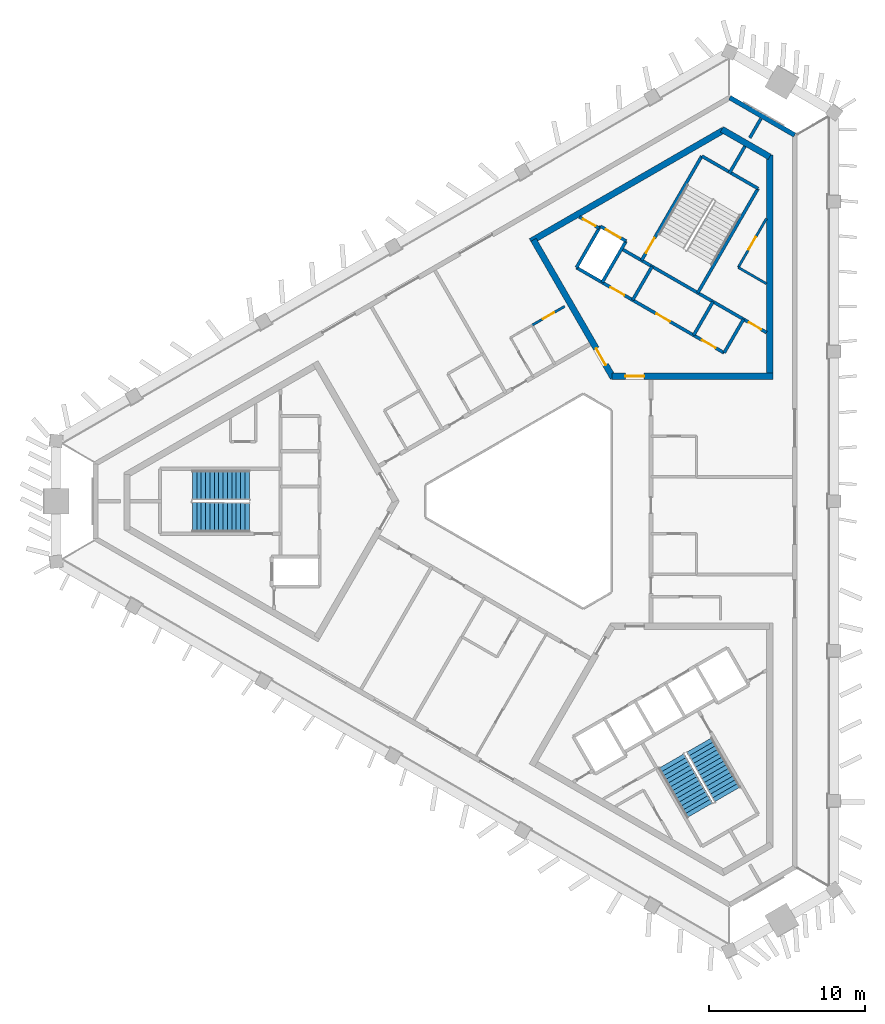
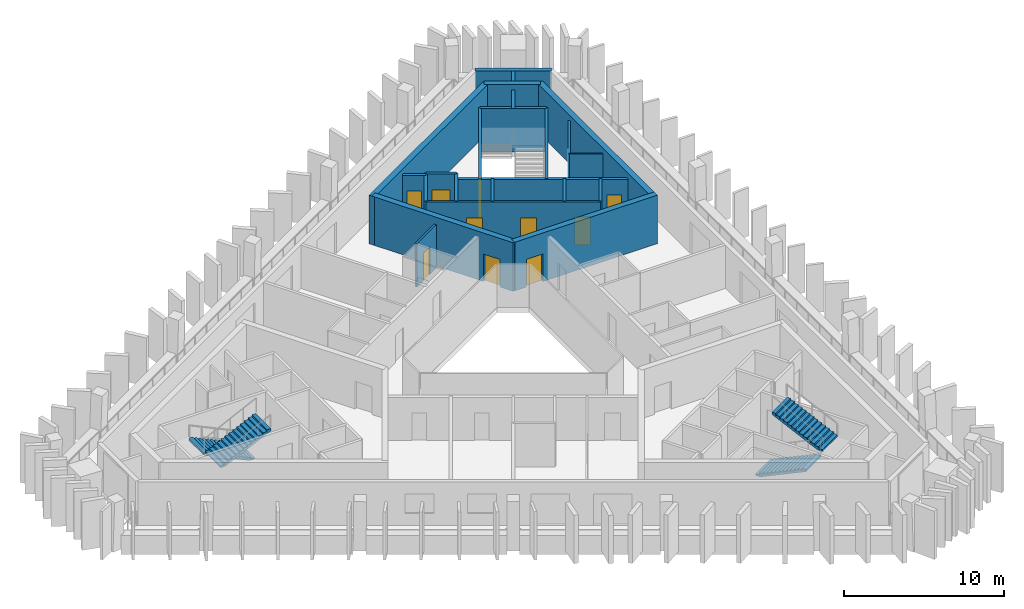
# One storey, part 5 of 9: 23 walls, 11 doors, 4 stair flights, 11 openings, 2 elements without a shape of their own.
"""IFC4 building model written with IfcOpenShell, lengths in metres."""

from ifc_helpers import new_model, si_unit, direction, frame, frame_2d, origin, place, context, subcontext, project, spatial, polyline, rectangle, outline, extrude, material, layer, layer_set, type_object, element, fill, aggregate, save


model = new_model("IFC4")

# Units and contexts
model_context = context("Model", 3, precision=1e-05, world=origin(), true_north=direction((0.0, 1.0)))
body_context = subcontext(model_context, "Body", "Model", "MODEL_VIEW")
ifc_project = project(units=[si_unit("LENGTHUNIT", "METRE"), si_unit("AREAUNIT", "SQUARE_METRE"), si_unit("VOLUMEUNIT", "CUBIC_METRE"), si_unit("PLANEANGLEUNIT", "RADIAN"), si_unit("MASSUNIT", "GRAM", prefix="KILO")], contexts=[model_context])

# Site, building, storey
site_placement = place(None, origin())
site = spatial("IfcSite", under=ifc_project, at=site_placement, CompositionType="ELEMENT")
building_placement = place(site_placement, origin())
building = spatial("IfcBuilding", under=site, at=building_placement, Name="Jabali Bay Hotel Tower and Convention Centre", CompositionType="ELEMENT")
storey_placement = place(building_placement, frame((0.0, 0.0, 288.60009765625)))
storey = spatial("IfcBuildingStorey", under=building, at=storey_placement, Name="L71", CompositionType="ELEMENT", Elevation=288.60009765625)

# Wall
ifc_material_1 = material(Name="Concrete C40", Category="concrete")
ifc_layer_1 = layer(ifc_material_1, 0.199951171875)
ifc_layer_set_1 = layer_set([ifc_layer_1], Name="Concrete C40")
wall_type_1 = type_object("IfcWallType", Name="Core partition wall 200", PredefinedType="PARTITIONING", material=ifc_layer_set_1)
wall_1_placement = place(storey_placement, frame((87.090087890625, 100.9404296875, 0.0), z_axis=(0.0, 0.0, 1.0), x_axis=(0.499941815747, 0.866058993873, 0.0)))
element("IfcWall", 1, at=wall_1_placement, inside=storey, type_object=wall_type_1, Name="Core wall 1.4 L71", PredefinedType="PARTITIONING", context=body_context, shape_type="SweptSolid", body=[
    extrude(rectangle(XDim=2.023193359375, YDim=0.199951171875, at=frame_2d((1.01171875, 0.0))), origin(), (0.0, 0.0, 1.0), 3.2998046875),
])

# Wall, opening, door
wall_2_placement = place(storey_placement, frame((78.7802734375, 97.447509765625, 0.0), z_axis=(0.0, 0.0, 1.0), x_axis=(-0.866045896294, 0.499964504253, 0.0)))
wall_2 = element("IfcWall", 2, at=wall_2_placement, inside=storey, type_object=wall_type_1, Name="Core wall 1.11 L71", PredefinedType="PARTITIONING", context=body_context, shape_type="SweptSolid", body=[
    extrude(rectangle(XDim=1.455078125, YDim=0.199951171875, at=frame_2d((0.7275390625, 0.0))), origin(), (0.0, 0.0, 1.0), 3.2998046875),
])
opening_1_placement = place(wall_2_placement, frame((0.277587890625, 0.0, 0.0)))
opening_1 = element("IfcOpeningElement", 3, at=opening_1_placement, cuts=wall_2, Name="Opening D1578", PredefinedType="OPENING", context=body_context, shape_type="SweptSolid", body=[
    extrude(rectangle(XDim=0.89990234375, YDim=2.10009765625, at=frame_2d((0.449951171875, 1.050048828125))), frame((0.0, 0.1103515625, 0.0), z_axis=(0.0, -1.0, 0.0), x_axis=(1.0, 0.0, 0.0)), (0.0, 0.0, 1.0), 0.220947265625),
])
ifc_material_2 = material(Name="Fire-rated steel door", Category="steel")
door_type_1 = type_object("IfcDoorType", Name="Vestibule fire door 900 x 2100", OperationType="NOTDEFINED", PredefinedType="NOTDEFINED", material=ifc_material_2)
door_1_placement = place(opening_1_placement, origin())
door_1 = element("IfcDoor", 4, at=door_1_placement, inside=storey, type_object=door_type_1, Name="Vestibule fire door D1578", OperationType="SINGLE_SWING_LEFT", OverallHeight=2.10009765625, OverallWidth=0.89990234375, PredefinedType="NOTDEFINED", context=body_context, shape_type="SweptSolid", body=[
    extrude(rectangle(XDim=0.89990234375, YDim=2.10009765625, at=frame_2d((0.449951171875, 1.050048828125))), frame((0.0, 0.02490234375, 0.0), z_axis=(0.0, -1.0, 0.0), x_axis=(1.0, 0.0, 0.0)), (0.0, 0.0, 1.0), 0.050048828125),
])
fill(opening_1, door_1)

ifc_material_3 = material(Name="Fire-rated board partition")
ifc_layer_2 = layer(ifc_material_3, 0.14990234375)
ifc_layer_set_2 = layer_set([ifc_layer_2], Name="Fire-rated board partition")
wall_type_2 = type_object("IfcWallType", Name="Core room partition 150", PredefinedType="PARTITIONING", material=ifc_layer_set_2)
wall_3_placement = place(storey_placement, frame((87.671142578125, 94.947021484375, 0.0), z_axis=(0.0, 0.0, 1.0), x_axis=(0.499993116331, 0.866029378036, 0.0)))
wall_3 = element("IfcWall", 5, at=wall_3_placement, inside=storey, type_object=wall_type_2, Name="Core wall 1.1 L71", PredefinedType="PARTITIONING", context=body_context, shape_type="SweptSolid", body=[
    extrude(rectangle(XDim=3.61767578125, YDim=0.14990234375, at=frame_2d((1.808837890625, 0.0))), origin(), (0.0, 0.0, 1.0), 3.2998046875),
])
opening_2_placement = place(wall_3_placement, frame((1.33154296875, 0.0, 0.0)))
opening_2 = element("IfcOpeningElement", 6, at=opening_2_placement, cuts=wall_3, Name="Opening D1581", PredefinedType="OPENING", context=body_context, shape_type="SweptSolid", body=[
    extrude(rectangle(XDim=0.89990234375, YDim=2.10009765625, at=frame_2d((0.449951171875, 1.050048828125))), frame((0.0, 0.08544921875, 0.0), z_axis=(0.0, -1.0, 0.0), x_axis=(1.0, 0.0, 0.0)), (0.0, 0.0, 1.0), 0.1708984375),
])
door_type_2 = type_object("IfcDoorType", Name="Core room door 900 x 2100", OperationType="NOTDEFINED", PredefinedType="NOTDEFINED", material=ifc_material_2)
door_2_placement = place(opening_2_placement, origin())
door_2 = element("IfcDoor", 7, at=door_2_placement, inside=storey, type_object=door_type_2, Name="Core room door D1581", OperationType="SINGLE_SWING_LEFT", OverallHeight=2.10009765625, OverallWidth=0.89990234375, PredefinedType="NOTDEFINED", context=body_context, shape_type="SweptSolid", body=[
    extrude(rectangle(XDim=0.89990234375, YDim=2.10009765625, at=frame_2d((0.449951171875, 1.050048828125))), frame((0.0, 0.02490234375, 0.0), z_axis=(0.0, -1.0, 0.0), x_axis=(1.0, 0.0, 0.0)), (0.0, 0.0, 1.0), 0.050048828125),
])
fill(opening_2, door_2)

# Walls
wall_4_placement = place(storey_placement, frame((89.47998046875, 93.902587890625, 0.0), z_axis=(0.0, 0.0, 1.0), x_axis=(-0.866004557827, 0.500036104519, 0.0)))
element("IfcWall", 8, at=wall_4_placement, inside=storey, type_object=wall_type_2, Name="Core wall 1.13 L71", PredefinedType="PARTITIONING", context=body_context, shape_type="SweptSolid", body=[
    extrude(rectangle(XDim=2.088623046875, YDim=0.14990234375, at=frame_2d((1.04443359375, 0.0))), origin(), (0.0, 0.0, 1.0), 3.2998046875),
])
ifc_layer_3 = layer(ifc_material_1, 0.199951171875)
ifc_layer_set_3 = layer_set([ifc_layer_3], Name="Concrete C40")
wall_type_3 = type_object("IfcWallType", Name="Core stair wall 200", PredefinedType="SOLIDWALL", material=ifc_layer_set_3)
for number, where, z_axis, x_axis, name in (
    (9, (86.769775390625, 89.48583984375, 0.0), (0.0, 0.0, 1.0), (0.499961042966, 0.86604789447, 0.0), "Core wall 1.0 L71"),
    (10, (84.8212890625, 90.61083984375, 0.0), (0.0, 0.0, 1.0), (0.499961042966, 0.86604789447, 0.0), "Core wall 1.2 L71"),
):
    element("IfcWall", number, at=place(storey_placement, frame(where, z_axis=z_axis, x_axis=x_axis)), inside=storey, type_object=wall_type_3, Name=name, PredefinedType="SOLIDWALL", context=body_context, shape_type="SweptSolid", body=[
        extrude(rectangle(XDim=2.480224609375, YDim=0.199951171875, at=frame_2d((1.240234375, 0.0))), origin(), (0.0, 0.0, 1.0), 3.2998046875),
    ])
wall_5_placement = place(storey_placement, frame((85.0869140625, 93.3212890625, 0.0), z_axis=(0.0, 0.0, 1.0), x_axis=(0.500019787375, 0.866013979237, 0.0)))
element("IfcWall", 11, at=wall_5_placement, inside=storey, type_object=wall_type_3, Name="Core wall 1.3 L71", PredefinedType="SOLIDWALL", context=body_context, shape_type="SweptSolid", body=[
    extrude(rectangle(XDim=7.699951171875, YDim=0.199951171875, at=frame_2d((3.85009765625, 0.0))), origin(), (0.0, 0.0, 1.0), 3.2998046875),
])
wall_6_placement = place(storey_placement, frame((80.924072265625, 92.86083984375, 0.0), z_axis=(0.0, 0.0, 1.0), x_axis=(0.499961042966, 0.86604789447, 0.0)))
element("IfcWall", 12, at=wall_6_placement, inside=storey, type_object=wall_type_3, Name="Core wall 1.5 L71", PredefinedType="SOLIDWALL", context=body_context, shape_type="SweptSolid", body=[
    extrude(rectangle(XDim=2.480224609375, YDim=0.199951171875, at=frame_2d((1.240234375, 0.0))), origin(), (0.0, 0.0, 1.0), 3.2998046875),
])

# Wall, opening, door
wall_7_placement = place(storey_placement, frame((81.492919921875, 95.396240234375, 0.0), z_axis=(0.0, 0.0, 1.0), x_axis=(0.500006057782, 0.866021906294, 0.0)))
wall_7 = element("IfcWall", 13, at=wall_7_placement, inside=storey, type_object=wall_type_3, Name="Core wall 1.6 L71", PredefinedType="SOLIDWALL", context=body_context, shape_type="SweptSolid", body=[
    extrude(rectangle(XDim=7.7001953125, YDim=0.199951171875, at=frame_2d((3.85009765625, 0.0))), origin(), (0.0, 0.0, 1.0), 3.2998046875),
])
opening_3_placement = place(wall_7_placement, frame((0.550048828125, 0.0, 0.0)))
opening_3 = element("IfcOpeningElement", 14, at=opening_3_placement, cuts=wall_7, Name="Opening D1580", PredefinedType="OPENING", context=body_context, shape_type="SweptSolid", body=[
    extrude(rectangle(XDim=1.10009765625, YDim=2.10009765625, at=frame_2d((0.550048828125, 1.050048828125))), frame((0.0, 0.1103515625, 0.0), z_axis=(0.0, -1.0, 0.0), x_axis=(1.0, 0.0, 0.0)), (0.0, 0.0, 1.0), 0.220947265625),
])
door_type_3 = type_object("IfcDoorType", Name="Stair fire door 1100 x 2100", OperationType="NOTDEFINED", PredefinedType="NOTDEFINED", material=ifc_material_2)
door_3_placement = place(opening_3_placement, origin())
door_3 = element("IfcDoor", 15, at=door_3_placement, inside=storey, type_object=door_type_3, Name="Stair fire door D1580", OperationType="SINGLE_SWING_RIGHT", OverallHeight=2.10009765625, OverallWidth=1.10009765625, PredefinedType="NOTDEFINED", context=body_context, shape_type="SweptSolid", body=[
    extrude(rectangle(XDim=1.10009765625, YDim=2.10009765625, at=frame_2d((0.550048828125, 1.050048828125))), frame((0.0, 0.02490234375, 0.0), z_axis=(0.0, -1.0, 0.0), x_axis=(1.0, 0.0, 0.0)), (0.0, 0.0, 1.0), 0.050048828125),
])
fill(opening_3, door_3)

# Walls
for number, where, z_axis, x_axis, name in (
    (16, (78.9755859375, 93.98583984375, 0.0), (0.0, 0.0, 1.0), (0.499944174705, 0.866057632134, 0.0), "Core wall 1.7 L71"),
    (17, (77.330078125, 94.93603515625, 0.0), (0.0, 0.0, 1.0), (0.500038867431, 0.8660029625, 0.0), "Core wall 1.8 L71"),
):
    element("IfcWall", number, at=place(storey_placement, frame(where, z_axis=z_axis, x_axis=x_axis)), inside=storey, type_object=wall_type_3, Name=name, PredefinedType="SOLIDWALL", context=body_context, shape_type="SweptSolid", body=[
        extrude(rectangle(XDim=3.050048828125, YDim=0.199951171875, at=frame_2d((1.52490234375, 0.0))), origin(), (0.0, 0.0, 1.0), 3.2998046875),
    ])

# Wall, openings, doors
wall_8_placement = place(storey_placement, frame((86.769775390625, 89.48583984375, 0.0), z_axis=(0.0, 0.0, 1.0), x_axis=(-0.86601811187, 0.500012629753, 0.0)))
wall_8 = element("IfcWall", 18, at=wall_8_placement, inside=storey, type_object=wall_type_3, Name="Core wall 1.9 L71", PredefinedType="SOLIDWALL", context=body_context, shape_type="SweptSolid", body=[
    extrude(rectangle(XDim=10.900146484375, YDim=0.199951171875, at=frame_2d((5.4501953125, 0.0))), origin(), (0.0, 0.0, 1.0), 3.2998046875),
])
opening_4_placement = place(wall_8_placement, frame((0.625, 0.0, 0.0)))
opening_4 = element("IfcOpeningElement", 19, at=opening_4_placement, cuts=wall_8, Name="Opening D1575", PredefinedType="OPENING", context=body_context, shape_type="SweptSolid", body=[
    extrude(rectangle(XDim=1.0, YDim=2.10009765625, at=frame_2d((0.5, 1.050048828125))), frame((0.0, 0.1103515625, 0.0), z_axis=(0.0, -1.0, 0.0), x_axis=(1.0, 0.0, 0.0)), (0.0, 0.0, 1.0), 0.220947265625),
])
opening_5_placement = place(wall_8_placement, frame((4.0, 0.0, 0.0)))
opening_5 = element("IfcOpeningElement", 20, at=opening_5_placement, cuts=wall_8, Name="Opening D1576", PredefinedType="OPENING", context=body_context, shape_type="SweptSolid", body=[
    extrude(rectangle(XDim=1.0, YDim=2.10009765625, at=frame_2d((0.5, 1.050048828125))), frame((0.0, 0.1103515625, 0.0), z_axis=(0.0, -1.0, 0.0), x_axis=(1.0, 0.0, 0.0)), (0.0, 0.0, 1.0), 0.220947265625),
])
opening_6_placement = place(wall_8_placement, frame((7.375, 0.0, 0.0)))
opening_6 = element("IfcOpeningElement", 21, at=opening_6_placement, cuts=wall_8, Name="Opening D1577", PredefinedType="OPENING", context=body_context, shape_type="SweptSolid", body=[
    extrude(rectangle(XDim=1.0, YDim=2.10009765625, at=frame_2d((0.5, 1.050048828125))), frame((0.0, 0.1103515625, 0.0), z_axis=(0.0, -1.0, 0.0), x_axis=(1.0, 0.0, 0.0)), (0.0, 0.0, 1.0), 0.220947265625),
])
door_type_4 = type_object("IfcDoorType", Name="Core room door 1000 x 2100", OperationType="NOTDEFINED", PredefinedType="NOTDEFINED", material=ifc_material_2)
door_4_placement = place(opening_4_placement, origin())
door_4 = element("IfcDoor", 22, at=door_4_placement, inside=storey, type_object=door_type_4, Name="Core room door D1575", OperationType="SINGLE_SWING_RIGHT", OverallHeight=2.10009765625, OverallWidth=1.0, PredefinedType="NOTDEFINED", context=body_context, shape_type="SweptSolid", body=[
    extrude(rectangle(XDim=1.0, YDim=2.10009765625, at=frame_2d((0.5, 1.050048828125))), frame((0.0, 0.02490234375, 0.0), z_axis=(0.0, -1.0, 0.0), x_axis=(1.0, 0.0, 0.0)), (0.0, 0.0, 1.0), 0.050048828125),
])
fill(opening_4, door_4)
door_5_placement = place(opening_5_placement, origin())
door_5 = element("IfcDoor", 23, at=door_5_placement, inside=storey, type_object=door_type_4, Name="Core room door D1576", OperationType="SINGLE_SWING_RIGHT", OverallHeight=2.10009765625, OverallWidth=1.0, PredefinedType="NOTDEFINED", context=body_context, shape_type="SweptSolid", body=[
    extrude(rectangle(XDim=1.0, YDim=2.10009765625, at=frame_2d((0.5, 1.050048828125))), frame((0.0, 0.02490234375, 0.0), z_axis=(0.0, -1.0, 0.0), x_axis=(1.0, 0.0, 0.0)), (0.0, 0.0, 1.0), 0.050048828125),
])
fill(opening_5, door_5)
door_6_placement = place(opening_6_placement, origin())
door_6 = element("IfcDoor", 24, at=door_6_placement, inside=storey, type_object=door_type_4, Name="Core room door D1577", OperationType="SINGLE_SWING_RIGHT", OverallHeight=2.10009765625, OverallWidth=1.0, PredefinedType="NOTDEFINED", context=body_context, shape_type="SweptSolid", body=[
    extrude(rectangle(XDim=1.0, YDim=2.10009765625, at=frame_2d((0.5, 1.050048828125))), frame((0.0, 0.02490234375, 0.0), z_axis=(0.0, -1.0, 0.0), x_axis=(1.0, 0.0, 0.0)), (0.0, 0.0, 1.0), 0.050048828125),
])
fill(opening_6, door_6)

# Wall, opening, door
wall_9_placement = place(storey_placement, frame((89.47998046875, 90.784912109375, 0.0), z_axis=(0.0, 0.0, 1.0), x_axis=(-0.866022544512, 0.500004952373, 0.0)))
wall_9 = element("IfcWall", 25, at=wall_9_placement, inside=storey, type_object=wall_type_3, Name="Core wall 1.10 L71", PredefinedType="SOLIDWALL", context=body_context, shape_type="SweptSolid", body=[
    extrude(rectangle(XDim=10.69775390625, YDim=0.199951171875, at=frame_2d((5.348876953125, 0.0))), origin(), (0.0, 0.0, 1.0), 3.2998046875),
])
opening_7_placement = place(wall_9_placement, frame((0.398681640625, 0.0, 0.0)))
opening_7 = element("IfcOpeningElement", 26, at=opening_7_placement, cuts=wall_9, Name="Opening D1579", PredefinedType="OPENING", context=body_context, shape_type="SweptSolid", body=[
    extrude(rectangle(XDim=0.89990234375, YDim=2.10009765625, at=frame_2d((0.449951171875, 1.050048828125))), frame((0.0, 0.1103515625, 0.0), z_axis=(0.0, -1.0, 0.0), x_axis=(1.0, 0.0, 0.0)), (0.0, 0.0, 1.0), 0.220947265625),
])
door_7_placement = place(opening_7_placement, origin())
door_7 = element("IfcDoor", 27, at=door_7_placement, inside=storey, type_object=door_type_1, Name="Vestibule fire door D1579", OperationType="SINGLE_SWING_LEFT", OverallHeight=2.10009765625, OverallWidth=0.89990234375, PredefinedType="NOTDEFINED", context=body_context, shape_type="SweptSolid", body=[
    extrude(rectangle(XDim=0.89990234375, YDim=2.10009765625, at=frame_2d((0.449951171875, 1.050048828125))), frame((0.0, 0.02490234375, 0.0), z_axis=(0.0, -1.0, 0.0), x_axis=(1.0, 0.0, 0.0)), (0.0, 0.0, 1.0), 0.050048828125),
])
fill(opening_7, door_7)

wall_10_placement = place(storey_placement, frame((80.50048828125, 96.62744140625, 0.0), z_axis=(0.0, 0.0, 1.0), x_axis=(-0.86601224135, 0.500022797313, 0.0)))
wall_10 = element("IfcWall", 28, at=wall_10_placement, inside=storey, type_object=wall_type_3, Name="Core wall 1.12 L71", PredefinedType="SOLIDWALL", context=body_context, shape_type="SweptSolid", body=[
    extrude(rectangle(XDim=1.89990234375, YDim=0.199951171875, at=frame_2d((0.949951171875, 0.0))), origin(), (0.0, 0.0, 1.0), 3.2998046875),
])
opening_8_placement = place(wall_10_placement, frame((0.39990234375, 0.0, 0.0)))
opening_8 = element("IfcOpeningElement", 29, at=opening_8_placement, cuts=wall_10, Name="Opening LD10-L71", PredefinedType="OPENING", context=body_context, shape_type="SweptSolid", body=[
    extrude(rectangle(XDim=1.10009765625, YDim=2.10009765625, at=frame_2d((0.550048828125, 1.050048828125))), frame((0.0, 0.1103515625, 0.0), z_axis=(0.0, -1.0, 0.0), x_axis=(1.0, 0.0, 0.0)), (0.0, 0.0, 1.0), 0.220947265625),
])
ifc_material_4 = material(Name="Stainless steel landing door", Category="steel")
door_type_5 = type_object("IfcDoorType", Name="Landing door 1100 x 2100", OperationType="NOTDEFINED", PredefinedType="NOTDEFINED", material=ifc_material_4)
door_8_placement = place(opening_8_placement, origin())
door_8 = element("IfcDoor", 30, at=door_8_placement, inside=storey, type_object=door_type_5, Name="Landing doors LD10-L71", OperationType="SLIDING_TO_RIGHT", OverallHeight=2.10009765625, OverallWidth=1.10009765625, PredefinedType="NOTDEFINED", context=body_context, shape_type="SweptSolid", body=[
    extrude(rectangle(XDim=1.10009765625, YDim=2.10009765625, at=frame_2d((0.550048828125, 1.050048828125))), frame((0.0, 0.02490234375, 0.0), z_axis=(0.0, -1.0, 0.0), x_axis=(1.0, 0.0, 0.0)), (0.0, 0.0, 1.0), 0.050048828125),
])
fill(opening_8, door_8)

# Wall
wall_11_placement = place(storey_placement, frame((88.93701171875, 99.989501953125, 0.0), z_axis=(0.0, 0.0, 1.0), x_axis=(-0.866004344652, 0.500036473714, 0.0)))
element("IfcWall", 31, at=wall_11_placement, inside=storey, type_object=wall_type_3, Name="Core wall 1.14 L71", PredefinedType="SOLIDWALL", context=body_context, shape_type="SweptSolid", body=[
    extrude(rectangle(XDim=4.150146484375, YDim=0.199951171875, at=frame_2d((2.0751953125, 0.0))), origin(), (0.0, 0.0, 1.0), 3.2998046875),
])

# Wall, opening, door
ifc_material_5 = material(Name="Concrete C60", Category="concrete")
ifc_layer_4 = layer(ifc_material_5, 0.39990234375)
ifc_layer_set_4 = layer_set([ifc_layer_4], Name="Concrete C60")
wall_type_4 = type_object("IfcWallType", Name="Core wall 400", PredefinedType="SHEAR", material=ifc_layer_set_4)
wall_12_placement = place(storey_placement, frame((79.615478515625, 87.994140625, 0.0), z_axis=(0.0, 0.0, 1.0), x_axis=(1.0, 0.0, 0.0)))
wall_12 = element("IfcWall", 32, at=wall_12_placement, inside=storey, type_object=wall_type_4, Name="Core wall 2.1 L71", PredefinedType="SHEAR", context=body_context, shape_type="SweptSolid", body=[
    extrude(rectangle(XDim=10.264404296875, YDim=0.39990234375, at=frame_2d((5.13232421875, 0.0))), origin(), (0.0, 0.0, 1.0), 3.699951171875),
])
opening_9_placement = place(wall_12_placement, frame((0.83447265625, 0.0, 0.0)))
opening_9 = element("IfcOpeningElement", 33, at=opening_9_placement, cuts=wall_12, Name="Opening D1573", PredefinedType="OPENING", context=body_context, shape_type="SweptSolid", body=[
    extrude(rectangle(XDim=1.199951171875, YDim=2.10009765625, at=frame_2d((0.60009765625, 1.050048828125))), frame((0.0, 0.21044921875, 0.0), z_axis=(0.0, -1.0, 0.0), x_axis=(1.0, 0.0, 0.0)), (0.0, 0.0, 1.0), 0.4208984375),
])
door_type_6 = type_object("IfcDoorType", Name="Corridor end fire door 1200 x 2100", OperationType="NOTDEFINED", PredefinedType="NOTDEFINED", material=ifc_material_2)
door_9_placement = place(opening_9_placement, origin())
door_9 = element("IfcDoor", 34, at=door_9_placement, inside=storey, type_object=door_type_6, Name="Corridor end fire door D1573", OperationType="SINGLE_SWING_RIGHT", OverallHeight=2.10009765625, OverallWidth=1.199951171875, PredefinedType="NOTDEFINED", context=body_context, shape_type="SweptSolid", body=[
    extrude(rectangle(XDim=1.199951171875, YDim=2.10009765625, at=frame_2d((0.60009765625, 1.050048828125))), frame((0.0, 0.02490234375, 0.0), z_axis=(0.0, -1.0, 0.0), x_axis=(1.0, 0.0, 0.0)), (0.0, 0.0, 1.0), 0.050048828125),
])
fill(opening_9, door_9)

# Walls
wall_13_placement = place(storey_placement, frame((89.679931640625, 87.994140625, 0.0), z_axis=(0.0, 0.0, 1.0), x_axis=(0.0, 1.0, 0.0)))
element("IfcWall", 35, at=wall_13_placement, inside=storey, type_object=wall_type_4, Name="Core wall 2.2 L71", PredefinedType="SHEAR", context=body_context, shape_type="SweptSolid", body=[
    extrude(rectangle(XDim=14.133544921875, YDim=0.39990234375, at=frame_2d((7.06689453125, 0.0))), origin(), (0.0, 0.0, 1.0), 3.699951171875),
])
wall_14_placement = place(storey_placement, frame((89.679931640625, 102.01220703125, 0.0), z_axis=(0.0, 0.0, 1.0), x_axis=(-0.866025485263, 0.499999858875, 0.0)))
element("IfcWall", 36, at=wall_14_placement, inside=storey, type_object=wall_type_4, Name="Core wall 2.3 L71", PredefinedType="SHEAR", context=body_context, shape_type="SweptSolid", body=[
    extrude(rectangle(XDim=3.52978515625, YDim=0.39990234375, at=frame_2d((1.764892578125, 0.0))), origin(), (0.0, 0.0, 1.0), 3.699951171875),
])
wall_15_placement = place(storey_placement, frame((86.72314453125, 103.71923828125, 0.0), z_axis=(0.0, 0.0, 1.0), x_axis=(-0.866030317223, -0.499991489579, 0.0)))
element("IfcWall", 37, at=wall_15_placement, inside=storey, type_object=wall_type_4, Name="Core wall 2.4 L71", PredefinedType="SHEAR", context=body_context, shape_type="SweptSolid", body=[
    extrude(rectangle(XDim=14.218017578125, YDim=0.39990234375, at=frame_2d((7.10888671875, 0.0))), origin(), (0.0, 0.0, 1.0), 3.699951171875),
])

# Wall, opening, door
wall_16_placement = place(storey_placement, frame((74.583251953125, 96.71044921875, 0.0), z_axis=(0.0, 0.0, 1.0), x_axis=(0.499987488796, -0.866032627011, 0.0)))
wall_16 = element("IfcWall", 38, at=wall_16_placement, inside=storey, type_object=wall_type_4, Name="Core wall 2.5 L71", PredefinedType="SHEAR", context=body_context, shape_type="SweptSolid", body=[
    extrude(rectangle(XDim=10.179931640625, YDim=0.39990234375, at=frame_2d((5.08984375, 0.0))), origin(), (0.0, 0.0, 1.0), 3.699951171875),
])
opening_10_placement = place(wall_16_placement, frame((8.030029296875, 0.0, 0.0)))
opening_10 = element("IfcOpeningElement", 39, at=opening_10_placement, cuts=wall_16, Name="Opening D1574", PredefinedType="OPENING", context=body_context, shape_type="SweptSolid", body=[
    extrude(rectangle(XDim=1.199951171875, YDim=2.10009765625, at=frame_2d((0.60009765625, 1.050048828125))), frame((0.0, 0.21044921875, 0.0), z_axis=(0.0, -1.0, 0.0), x_axis=(1.0, 0.0, 0.0)), (0.0, 0.0, 1.0), 0.4208984375),
])
door_10_placement = place(opening_10_placement, origin())
door_10 = element("IfcDoor", 40, at=door_10_placement, inside=storey, type_object=door_type_6, Name="Corridor end fire door D1574", OperationType="SINGLE_SWING_LEFT", OverallHeight=2.10009765625, OverallWidth=1.199951171875, PredefinedType="NOTDEFINED", context=body_context, shape_type="SweptSolid", body=[
    extrude(rectangle(XDim=1.199951171875, YDim=2.10009765625, at=frame_2d((0.60009765625, 1.050048828125))), frame((0.0, 0.02490234375, 0.0), z_axis=(0.0, -1.0, 0.0), x_axis=(1.0, 0.0, 0.0)), (0.0, 0.0, 1.0), 0.050048828125),
])
fill(opening_10, door_10)

# Wall
ifc_layer_5 = layer(ifc_material_1, 0.300048828125)
ifc_layer_set_5 = layer_set([ifc_layer_5], Name="Concrete C40")
wall_type_5 = type_object("IfcWallType", Name="External wall 300", PredefinedType="SOLIDWALL", material=ifc_layer_set_5)
wall_17_placement = place(storey_placement, frame((87.132080078125, 105.802001953125, 0.0), z_axis=(0.0, 0.0, 1.0), x_axis=(0.866022570692, -0.500004907028, 0.0)))
element("IfcWall", 41, at=wall_17_placement, inside=storey, type_object=wall_type_5, Name="External wall north-east chamfer L71", PredefinedType="SOLIDWALL", context=body_context, shape_type="SweptSolid", body=[
    extrude(rectangle(XDim=4.78857421875, YDim=0.300048828125, at=frame_2d((2.394287109375, 0.0))), origin(), (0.0, 0.0, 1.0), 3.2998046875),
])

# Wall, opening, door
ifc_material_6 = material(Name="Plasterboard on steel stud", Category="steel")
ifc_layer_6 = layer(ifc_material_6, 0.14990234375)
ifc_layer_set_6 = layer_set([ifc_layer_6], Name="Plasterboard on steel stud")
wall_type_6 = type_object("IfcWallType", Name="Partition 150 wet", PredefinedType="PARTITIONING", material=ifc_layer_set_6)
wall_18_placement = place(storey_placement, frame((74.498291015625, 91.25732421875, 0.0), z_axis=(0.0, 0.0, 1.0), x_axis=(0.866038271014, 0.499977712642, 0.0)))
wall_18 = element("IfcWall", 42, at=wall_18_placement, inside=storey, type_object=wall_type_6, Name="Partition P03 L71 013", PredefinedType="PARTITIONING", context=body_context, shape_type="SweptSolid", body=[
    extrude(rectangle(XDim=2.40087890625, YDim=0.14990234375, at=frame_2d((1.200439453125, 0.0))), origin(), (0.0, 0.0, 1.0), 3.2998046875),
])
opening_11_placement = place(wall_18_placement, frame((0.801025390625, 0.0, 0.0)))
opening_11 = element("IfcOpeningElement", 43, at=opening_11_placement, cuts=wall_18, Name="Opening 7107", PredefinedType="OPENING", context=body_context, shape_type="SweptSolid", body=[
    extrude(rectangle(XDim=0.800048828125, YDim=2.10009765625, at=frame_2d((0.39990234375, 1.050048828125))), frame((0.0, 0.08544921875, 0.0), z_axis=(0.0, -1.0, 0.0), x_axis=(1.0, 0.0, 0.0)), (0.0, 0.0, 1.0), 0.1708984375),
])
ifc_material_7 = material(Name="Timber", Category="wood")
door_type_7 = type_object("IfcDoorType", Name="En-suite door 800 x 2100", OperationType="NOTDEFINED", PredefinedType="NOTDEFINED", material=ifc_material_7)
door_11_placement = place(opening_11_placement, origin())
door_11 = element("IfcDoor", 44, at=door_11_placement, inside=storey, type_object=door_type_7, Name="Door 7107", OperationType="SINGLE_SWING_LEFT", OverallHeight=2.10009765625, OverallWidth=0.800048828125, PredefinedType="NOTDEFINED", context=body_context, shape_type="SweptSolid", body=[
    extrude(rectangle(XDim=0.800048828125, YDim=2.10009765625, at=frame_2d((0.39990234375, 1.050048828125))), frame((0.0, 0.02490234375, 0.0), z_axis=(0.0, -1.0, 0.0), x_axis=(1.0, 0.0, 0.0)), (0.0, 0.0, 1.0), 0.050048828125),
])
fill(opening_11, door_11)

# Wall
ifc_layer_7 = layer(ifc_material_6, 0.199951171875)
ifc_layer_set_7 = layer_set([ifc_layer_7], Name="Plasterboard on steel stud")
wall_type_7 = type_object("IfcWallType", Name="Partition 200 party", PredefinedType="PARTITIONING", material=ifc_layer_set_7)
wall_19_placement = place(storey_placement, frame((89.12158203125, 104.45703125, 0.0), z_axis=(0.0, 0.0, 1.0), x_axis=(-0.500119836232, -0.865956205248, 0.0)))
element("IfcWall", 45, at=wall_19_placement, inside=storey, type_object=wall_type_7, Name="Partition P01 L71 012", PredefinedType="PARTITIONING", context=body_context, shape_type="SweptSolid", body=[
    extrude(rectangle(XDim=1.418212890625, YDim=0.199951171875, at=frame_2d((0.708984375, 0.0))), origin(), (0.0, 0.0, 1.0), 3.2998046875),
])

# Stair, stair flights
stair_type = type_object("IfcStairType", Name="Exit stair 1900", PredefinedType="HALF_TURN_STAIR", material=ifc_material_1)
stair_1_placement = place(storey_placement, origin())
stair_1 = element("IfcStair", 46, at=stair_1_placement, inside=storey, type_object=stair_type, Name="L71 Exit Stair 1", PredefinedType="HALF_TURN_STAIR")
stair_flight_type = type_object("IfcStairFlightType", Name="Stair flight concrete 150", PredefinedType="STRAIGHT", material=ifc_material_1)
stair_flight_1_placement = place(storey_placement, frame((56.419921875, 81.02490234375, 0.0), z_axis=(0.0, 0.0, 1.0), x_axis=(-1.0, 0.0, 0.0)))
stair_flight_1 = element("IfcStairFlight", 47, at=stair_flight_1_placement, type_object=stair_flight_type, Name="ST1 flight 1", NumberOfRisers=14, NumberOfTreads=13, PredefinedType="STRAIGHT", RiserHeight=0.132142857, TreadLength=0.28, context=body_context, shape_type="SweptSolid", body=[
    extrude(outline(polyline([(0.0, 0.0), (0.0, 0.132080078125), (0.280029296875, 0.132080078125), (0.280029296875, 0.264404296875), (0.56005859375, 0.264404296875), (0.56005859375, 0.396484375), (0.840087890625, 0.396484375), (0.840087890625, 0.528564453125), (1.1201171875, 0.528564453125), (1.1201171875, 0.66064453125), (1.39990234375, 0.66064453125), (1.39990234375, 0.79296875), (1.679931640625, 0.79296875), (1.679931640625, 0.925048828125), (1.9599609375, 0.925048828125), (1.9599609375, 1.05712890625), (2.239990234375, 1.05712890625), (2.239990234375, 1.189208984375), (2.52001953125, 1.189208984375), (2.52001953125, 1.321533203125), (2.800048828125, 1.321533203125), (2.800048828125, 1.45361328125), (3.080078125, 1.45361328125), (3.080078125, 1.585693359375), (3.360107421875, 1.585693359375), (3.360107421875, 1.7177734375), (3.639892578125, 1.7177734375), (3.639892578125, 1.85009765625), (3.639892578125, 1.552001953125), (0.351318359375, 0.0), (0.0, 0.0)])), frame((0.0, 0.949951171875, 0.0), z_axis=(0.0, -1.0, 0.0), x_axis=(1.0, 0.0, 0.0)), (0.0, 0.0, 1.0), 1.89990234375),
])
stair_flight_2_placement = place(storey_placement, frame((52.780029296875, 78.97509765625, 1.849853515625), z_axis=(0.0, 0.0, 1.0), x_axis=(1.0, 0.0, 0.0)))
stair_flight_2 = element("IfcStairFlight", 48, at=stair_flight_2_placement, type_object=stair_flight_type, Name="ST1 flight 2", NumberOfRisers=14, NumberOfTreads=13, PredefinedType="STRAIGHT", RiserHeight=0.132142857, TreadLength=0.28, context=body_context, shape_type="SweptSolid", body=[
    extrude(outline(polyline([(0.0, 0.0), (0.0, 0.132080078125), (0.280029296875, 0.132080078125), (0.280029296875, 0.264404296875), (0.56005859375, 0.264404296875), (0.56005859375, 0.396484375), (0.840087890625, 0.396484375), (0.840087890625, 0.528564453125), (1.1201171875, 0.528564453125), (1.1201171875, 0.66064453125), (1.39990234375, 0.66064453125), (1.39990234375, 0.79296875), (1.679931640625, 0.79296875), (1.679931640625, 0.925048828125), (1.9599609375, 0.925048828125), (1.9599609375, 1.05712890625), (2.239990234375, 1.05712890625), (2.239990234375, 1.189208984375), (2.52001953125, 1.189208984375), (2.52001953125, 1.321533203125), (2.800048828125, 1.321533203125), (2.800048828125, 1.45361328125), (3.080078125, 1.45361328125), (3.080078125, 1.585693359375), (3.360107421875, 1.585693359375), (3.360107421875, 1.7177734375), (3.639892578125, 1.7177734375), (3.639892578125, 1.85009765625), (3.639892578125, 1.552001953125), (0.351318359375, 0.0), (0.0, 0.0)])), frame((0.0, 0.949951171875, 0.0), z_axis=(0.0, -1.0, 0.0), x_axis=(1.0, 0.0, 0.0)), (0.0, 0.0, 1.0), 1.89990234375),
])
aggregate(stair_1, [stair_flight_1, stair_flight_2])

stair_2_placement = place(storey_placement, origin())
stair_2 = element("IfcStair", 49, at=stair_2_placement, inside=storey, type_object=stair_type, Name="L71 Exit Stair 3", PredefinedType="HALF_TURN_STAIR")
stair_flight_3_placement = place(storey_placement, frame((83.40234375, 63.396728515625, 0.0), z_axis=(0.0, 0.0, 1.0), x_axis=(0.5, -0.866025403784, 0.0)))
stair_flight_3 = element("IfcStairFlight", 50, at=stair_flight_3_placement, type_object=stair_flight_type, Name="ST3 flight 1", NumberOfRisers=14, NumberOfTreads=13, PredefinedType="STRAIGHT", RiserHeight=0.132142857, TreadLength=0.28, context=body_context, shape_type="SweptSolid", body=[
    extrude(outline(polyline([(0.0, 0.0), (0.0, 0.132080078125), (0.280029296875, 0.132080078125), (0.280029296875, 0.264404296875), (0.56005859375, 0.264404296875), (0.56005859375, 0.396484375), (0.840087890625, 0.396484375), (0.840087890625, 0.528564453125), (1.1201171875, 0.528564453125), (1.1201171875, 0.66064453125), (1.39990234375, 0.66064453125), (1.39990234375, 0.79296875), (1.679931640625, 0.79296875), (1.679931640625, 0.925048828125), (1.9599609375, 0.925048828125), (1.9599609375, 1.05712890625), (2.239990234375, 1.05712890625), (2.239990234375, 1.189208984375), (2.52001953125, 1.189208984375), (2.52001953125, 1.321533203125), (2.800048828125, 1.321533203125), (2.800048828125, 1.45361328125), (3.080078125, 1.45361328125), (3.080078125, 1.585693359375), (3.360107421875, 1.585693359375), (3.360107421875, 1.7177734375), (3.639892578125, 1.7177734375), (3.639892578125, 1.85009765625), (3.639892578125, 1.552001953125), (0.351318359375, 0.0), (0.0, 0.0)])), frame((0.0, 0.949951171875, 0.0), z_axis=(0.0, -1.0, 0.0), x_axis=(1.0, 0.0, 0.0)), (0.0, 0.0, 1.0), 1.89990234375),
])
stair_flight_4_placement = place(storey_placement, frame((86.99755859375, 61.26953125, 1.849853515625), z_axis=(0.0, 0.0, 1.0), x_axis=(-0.5, 0.866025403784, 0.0)))
stair_flight_4 = element("IfcStairFlight", 51, at=stair_flight_4_placement, type_object=stair_flight_type, Name="ST3 flight 2", NumberOfRisers=14, NumberOfTreads=13, PredefinedType="STRAIGHT", RiserHeight=0.132142857, TreadLength=0.28, context=body_context, shape_type="SweptSolid", body=[
    extrude(outline(polyline([(0.0, 0.0), (0.0, 0.132080078125), (0.280029296875, 0.132080078125), (0.280029296875, 0.264404296875), (0.56005859375, 0.264404296875), (0.56005859375, 0.396484375), (0.840087890625, 0.396484375), (0.840087890625, 0.528564453125), (1.1201171875, 0.528564453125), (1.1201171875, 0.66064453125), (1.39990234375, 0.66064453125), (1.39990234375, 0.79296875), (1.679931640625, 0.79296875), (1.679931640625, 0.925048828125), (1.9599609375, 0.925048828125), (1.9599609375, 1.05712890625), (2.239990234375, 1.05712890625), (2.239990234375, 1.189208984375), (2.52001953125, 1.189208984375), (2.52001953125, 1.321533203125), (2.800048828125, 1.321533203125), (2.800048828125, 1.45361328125), (3.080078125, 1.45361328125), (3.080078125, 1.585693359375), (3.360107421875, 1.585693359375), (3.360107421875, 1.7177734375), (3.639892578125, 1.7177734375), (3.639892578125, 1.85009765625), (3.639892578125, 1.552001953125), (0.351318359375, 0.0), (0.0, 0.0)])), frame((0.0, 0.949951171875, 0.0), z_axis=(0.0, -1.0, 0.0), x_axis=(1.0, 0.0, 0.0)), (0.0, 0.0, 1.0), 1.89990234375),
])
aggregate(stair_2, [stair_flight_3, stair_flight_4])

save(model, "model.ifc")
